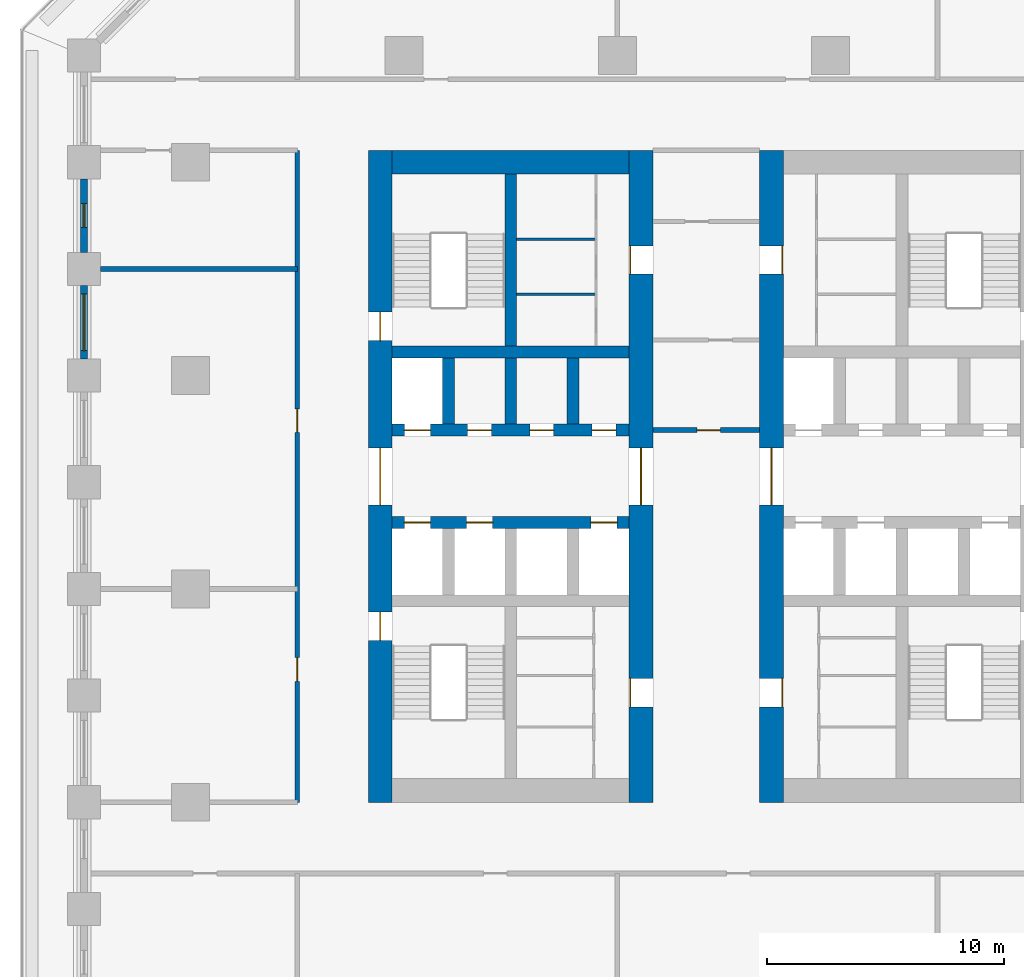
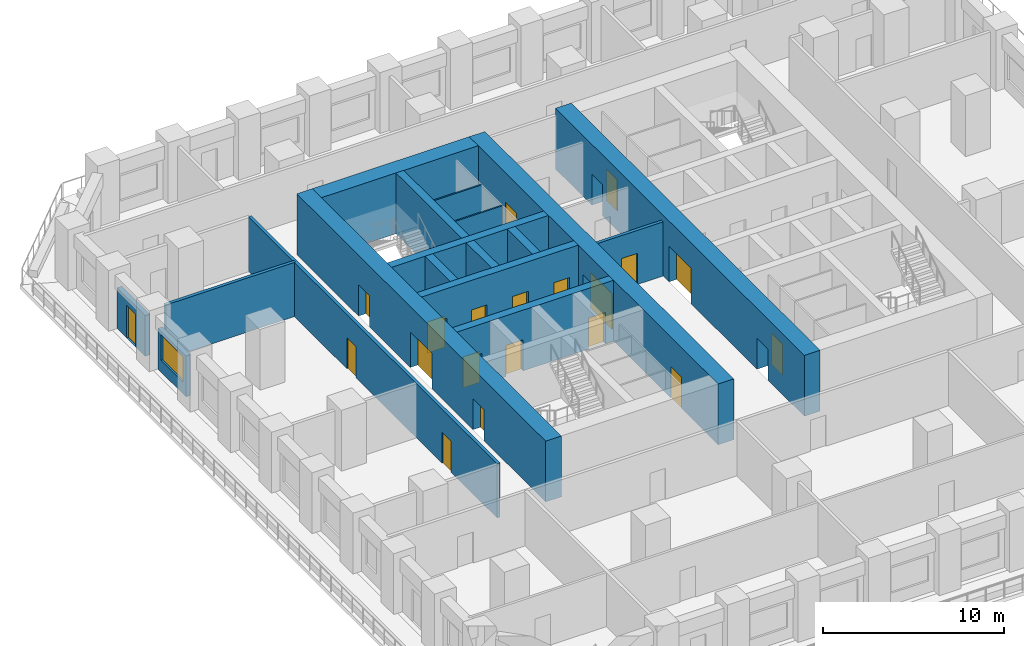
# One storey, part 5 of 11: 20 doors, 18 walls, 1 window, 21 openings.
"""IFC4 building model written with IfcOpenShell, lengths in metres."""

from ifc_helpers import new_model, si_unit, direction, frame, frame_2d, origin, place, context, subcontext, project, spatial, rectangle, extrude, material, layer, layer_set, type_object, element, fill, save


model = new_model("IFC4")

# Units and contexts
model_context = context("Model", 3, precision=1e-05, world=origin(), true_north=direction((0.0, 1.0)))
body_context = subcontext(model_context, "Body", "Model", "MODEL_VIEW")
ifc_project = project(units=[si_unit("LENGTHUNIT", "METRE"), si_unit("AREAUNIT", "SQUARE_METRE"), si_unit("VOLUMEUNIT", "CUBIC_METRE"), si_unit("PLANEANGLEUNIT", "RADIAN"), si_unit("MASSUNIT", "GRAM", prefix="KILO")], contexts=[model_context])

# Site, building, storey
site_placement = place(None, origin())
site = spatial("IfcSite", under=ifc_project, at=site_placement, CompositionType="ELEMENT")
building_placement = place(site_placement, origin())
building = spatial("IfcBuilding", under=site, at=building_placement, Name="Corbel Stack Research Tower", CompositionType="ELEMENT")
storey_placement = place(building_placement, frame((0.0, 0.0, 54.199951171875)))
storey = spatial("IfcBuildingStorey", under=building, at=storey_placement, Name="L12", CompositionType="ELEMENT", Elevation=54.199951171875)

# Wall, openings, doors
ifc_material_1 = material(Name="Concrete C70/85", Category="concrete")
ifc_layer_1 = layer(ifc_material_1, 1.0)
ifc_layer_set_1 = layer_set([ifc_layer_1], Name="Concrete C70/85")
wall_type_1 = type_object("IfcWallType", Name="CW-1000-70", PredefinedType="SHEAR", material=ifc_layer_set_1)
wall_1_placement = place(storey_placement, frame((-10.0, -9.0, 0.0), z_axis=(0.0, 0.0, 1.0), x_axis=(0.0, 1.0, 0.0)))
wall_1 = element("IfcWall", 1, at=wall_1_placement, inside=storey, type_object=wall_type_1, Name="West core wall, west face L12", PredefinedType="SHEAR", context=body_context, shape_type="SweptSolid", body=[
    extrude(rectangle(XDim=27.5, YDim=1.0, at=frame_2d((13.75, 0.0))), origin(), (0.0, 0.0, 1.0), 4.10009765625),
])
opening_1_placement = place(wall_1_placement, frame((12.550048828125, 0.0, 0.0)))
opening_1 = element("IfcOpeningElement", 2, at=opening_1_placement, cuts=wall_1, Name="Opening CD-W-W", PredefinedType="OPENING", context=body_context, shape_type="SweptSolid", body=[
    extrude(rectangle(XDim=2.39990234375, YDim=2.39990234375, at=frame_2d((1.199951171875, 1.199951171875))), frame((0.0, 0.510009765625, 0.0), z_axis=(0.0, -1.0, 0.0), x_axis=(1.0, 0.0, 0.0)), (0.0, 0.0, 1.0), 1.02001953125),
])
opening_2_placement = place(wall_1_placement, frame((6.824951171875, 0.0, 0.0)))
opening_2 = element("IfcOpeningElement", 3, at=opening_2_placement, cuts=wall_1, Name="Opening SD-ST-W1", PredefinedType="OPENING", context=body_context, shape_type="SweptSolid", body=[
    extrude(rectangle(XDim=1.199951171875, YDim=2.10009765625, at=frame_2d((0.60009765625, 1.050048828125))), frame((0.0, 0.510009765625, 0.0), z_axis=(0.0, -1.0, 0.0), x_axis=(1.0, 0.0, 0.0)), (0.0, 0.0, 1.0), 1.02001953125),
])
opening_3_placement = place(wall_1_placement, frame((19.47509765625, 0.0, 0.0)))
opening_3 = element("IfcOpeningElement", 4, at=opening_3_placement, cuts=wall_1, Name="Opening SD-ST-W2", PredefinedType="OPENING", context=body_context, shape_type="SweptSolid", body=[
    extrude(rectangle(XDim=1.199951171875, YDim=2.10009765625, at=frame_2d((0.60009765625, 1.050048828125))), frame((0.0, 0.510009765625, 0.0), z_axis=(0.0, -1.0, 0.0), x_axis=(1.0, 0.0, 0.0)), (0.0, 0.0, 1.0), 1.02001953125),
])
ifc_material_2 = material(Name="Painted steel fire door", Category="steel")
door_type_1 = type_object("IfcDoorType", Name="Lobby door pair 2400 x 2400 FD30S", OperationType="DOUBLE_DOOR_DOUBLE_SWING", PredefinedType="DOOR", material=ifc_material_2)
door_1_placement = place(opening_1_placement, origin())
door_1 = element("IfcDoor", 5, at=door_1_placement, inside=storey, type_object=door_type_1, Name="Lift lobby door W core W", OperationType="DOUBLE_DOOR_DOUBLE_SWING", OverallHeight=2.39990234375, OverallWidth=2.39990234375, PredefinedType="DOOR", context=body_context, shape_type="SweptSolid", body=[
    extrude(rectangle(XDim=2.39990234375, YDim=2.39990234375, at=frame_2d((1.199951171875, 1.199951171875))), frame((0.0, 0.02490234375, 0.0), z_axis=(0.0, -1.0, 0.0), x_axis=(1.0, 0.0, 0.0)), (0.0, 0.0, 1.0), 0.050048828125),
])
fill(opening_1, door_1)
ifc_material_3 = material(Name="Painted steel fire door", Category="steel")
door_type_2 = type_object("IfcDoorType", Name="Stair door 1200 x 2100 FD90 left hand", OperationType="SINGLE_SWING_LEFT", PredefinedType="DOOR", material=ifc_material_3)
door_2_placement = place(opening_2_placement, origin())
door_2 = element("IfcDoor", 6, at=door_2_placement, inside=storey, type_object=door_type_2, Name="Stair door ST-W1", OperationType="SINGLE_SWING_LEFT", OverallHeight=2.10009765625, OverallWidth=1.199951171875, PredefinedType="DOOR", context=body_context, shape_type="SweptSolid", body=[
    extrude(rectangle(XDim=1.199951171875, YDim=2.10009765625, at=frame_2d((0.60009765625, 1.050048828125))), frame((0.0, 0.02490234375, 0.0), z_axis=(0.0, -1.0, 0.0), x_axis=(1.0, 0.0, 0.0)), (0.0, 0.0, 1.0), 0.050048828125),
])
fill(opening_2, door_2)
door_3_placement = place(opening_3_placement, origin())
door_3 = element("IfcDoor", 7, at=door_3_placement, inside=storey, type_object=door_type_2, Name="Stair door ST-W2", OperationType="SINGLE_SWING_LEFT", OverallHeight=2.10009765625, OverallWidth=1.199951171875, PredefinedType="DOOR", context=body_context, shape_type="SweptSolid", body=[
    extrude(rectangle(XDim=1.199951171875, YDim=2.10009765625, at=frame_2d((0.60009765625, 1.050048828125))), frame((0.0, 0.02490234375, 0.0), z_axis=(0.0, -1.0, 0.0), x_axis=(1.0, 0.0, 0.0)), (0.0, 0.0, 1.0), 0.050048828125),
])
fill(opening_3, door_3)

wall_2_placement = place(storey_placement, frame((1.0, -9.0, 0.0), z_axis=(0.0, 0.0, 1.0), x_axis=(0.0, 1.0, 0.0)))
wall_2 = element("IfcWall", 8, at=wall_2_placement, inside=storey, type_object=wall_type_1, Name="West core wall, east face L12", PredefinedType="SHEAR", context=body_context, shape_type="SweptSolid", body=[
    extrude(rectangle(XDim=27.5, YDim=1.0, at=frame_2d((13.75, 0.0))), origin(), (0.0, 0.0, 1.0), 4.10009765625),
])
opening_4_placement = place(wall_2_placement, frame((12.550048828125, 0.0, 0.0)))
opening_4 = element("IfcOpeningElement", 9, at=opening_4_placement, cuts=wall_2, Name="Opening CD-W-E", PredefinedType="OPENING", context=body_context, shape_type="SweptSolid", body=[
    extrude(rectangle(XDim=2.39990234375, YDim=2.39990234375, at=frame_2d((1.199951171875, 1.199951171875))), frame((0.0, 0.510009765625, 0.0), z_axis=(0.0, -1.0, 0.0), x_axis=(1.0, 0.0, 0.0)), (0.0, 0.0, 1.0), 1.02001953125),
])
opening_5_placement = place(wall_2_placement, frame((4.02490234375, 0.0, 0.0)))
opening_5 = element("IfcOpeningElement", 10, at=opening_5_placement, cuts=wall_2, Name="Opening CR-W42-W1-1200", PredefinedType="OPENING", context=body_context, shape_type="SweptSolid", body=[
    extrude(rectangle(XDim=1.199951171875, YDim=2.10009765625, at=frame_2d((0.60009765625, 1.050048828125))), frame((0.0, 0.510009765625, 0.0), z_axis=(0.0, -1.0, 0.0), x_axis=(1.0, 0.0, 0.0)), (0.0, 0.0, 1.0), 1.02001953125),
])
opening_6_placement = place(wall_2_placement, frame((22.27490234375, 0.0, 0.0)))
opening_6 = element("IfcOpeningElement", 11, at=opening_6_placement, cuts=wall_2, Name="Opening CR-W42-R1-1200", PredefinedType="OPENING", context=body_context, shape_type="SweptSolid", body=[
    extrude(rectangle(XDim=1.199951171875, YDim=2.10009765625, at=frame_2d((0.60009765625, 1.050048828125))), frame((0.0, 0.510009765625, 0.0), z_axis=(0.0, -1.0, 0.0), x_axis=(1.0, 0.0, 0.0)), (0.0, 0.0, 1.0), 1.02001953125),
])
door_4_placement = place(opening_4_placement, origin())
door_4 = element("IfcDoor", 12, at=door_4_placement, inside=storey, type_object=door_type_1, Name="Lift lobby door W core E", OperationType="DOUBLE_DOOR_DOUBLE_SWING", OverallHeight=2.39990234375, OverallWidth=2.39990234375, PredefinedType="DOOR", context=body_context, shape_type="SweptSolid", body=[
    extrude(rectangle(XDim=2.39990234375, YDim=2.39990234375, at=frame_2d((1.199951171875, 1.199951171875))), frame((0.0, 0.02490234375, 0.0), z_axis=(0.0, -1.0, 0.0), x_axis=(1.0, 0.0, 0.0)), (0.0, 0.0, 1.0), 0.050048828125),
])
fill(opening_4, door_4)
ifc_material_4 = material(Name="Painted steel door", Category="steel")
door_type_3 = type_object("IfcDoorType", Name="Service door 1200 x 2100 FD30 left hand", OperationType="SINGLE_SWING_LEFT", PredefinedType="DOOR", material=ifc_material_4)
door_5_placement = place(opening_6_placement, origin())
door_5 = element("IfcDoor", 13, at=door_5_placement, inside=storey, type_object=door_type_3, Name="Service passage door W core", OperationType="SINGLE_SWING_LEFT", OverallHeight=2.10009765625, OverallWidth=1.199951171875, PredefinedType="DOOR", context=body_context, shape_type="SweptSolid", body=[
    extrude(rectangle(XDim=1.199951171875, YDim=2.10009765625, at=frame_2d((0.60009765625, 1.050048828125))), frame((0.0, 0.47509765625, 0.0), z_axis=(0.0, -1.0, 0.0), x_axis=(1.0, 0.0, 0.0)), (0.0, 0.0, 1.0), 0.050048828125),
])
fill(opening_6, door_5)
ifc_material_5 = material(Name="Painted timber door", Category="wood")
door_type_4 = type_object("IfcDoorType", Name="WC door 1200 x 2100 left hand", OperationType="SINGLE_SWING_LEFT", PredefinedType="DOOR", material=ifc_material_5)
door_6_placement = place(opening_5_placement, origin())
door_6 = element("IfcDoor", 14, at=door_6_placement, inside=storey, type_object=door_type_4, Name="WC lobby door W core", OperationType="SINGLE_SWING_LEFT", OverallHeight=2.10009765625, OverallWidth=1.199951171875, PredefinedType="DOOR", context=body_context, shape_type="SweptSolid", body=[
    extrude(rectangle(XDim=1.199951171875, YDim=2.10009765625, at=frame_2d((0.60009765625, 1.050048828125))), frame((0.0, 0.47509765625, 0.0), z_axis=(0.0, -1.0, 0.0), x_axis=(1.0, 0.0, 0.0)), (0.0, 0.0, 1.0), 0.050048828125),
])
fill(opening_5, door_6)

# Wall
wall_3_placement = place(storey_placement, frame((-9.5, 18.0, 0.0), z_axis=(0.0, 0.0, 1.0), x_axis=(1.0, 0.0, 0.0)))
element("IfcWall", 15, at=wall_3_placement, inside=storey, type_object=wall_type_1, Name="West core wall, north end L12", PredefinedType="SHEAR", context=body_context, shape_type="SweptSolid", body=[
    extrude(rectangle(XDim=10.0, YDim=1.0, at=frame_2d((5.0, 0.0))), origin(), (0.0, 0.0, 1.0), 4.10009765625),
])

# Wall, openings, doors
wall_4_placement = place(storey_placement, frame((6.5, -9.0, 0.0), z_axis=(0.0, 0.0, 1.0), x_axis=(0.0, 1.0, 0.0)))
wall_4 = element("IfcWall", 16, at=wall_4_placement, inside=storey, type_object=wall_type_1, Name="East core wall, west face L12", PredefinedType="SHEAR", context=body_context, shape_type="SweptSolid", body=[
    extrude(rectangle(XDim=27.5, YDim=1.0, at=frame_2d((13.75, 0.0))), origin(), (0.0, 0.0, 1.0), 4.10009765625),
])
opening_7_placement = place(wall_4_placement, frame((12.550048828125, 0.0, 0.0)))
opening_7 = element("IfcOpeningElement", 17, at=opening_7_placement, cuts=wall_4, Name="Opening CD-E-W", PredefinedType="OPENING", context=body_context, shape_type="SweptSolid", body=[
    extrude(rectangle(XDim=2.39990234375, YDim=2.39990234375, at=frame_2d((1.199951171875, 1.199951171875))), frame((0.0, 0.510009765625, 0.0), z_axis=(0.0, -1.0, 0.0), x_axis=(1.0, 0.0, 0.0)), (0.0, 0.0, 1.0), 1.02001953125),
])
opening_8_placement = place(wall_4_placement, frame((4.02490234375, 0.0, 0.0)))
opening_8 = element("IfcOpeningElement", 18, at=opening_8_placement, cuts=wall_4, Name="Opening CR-E42-W1-1200", PredefinedType="OPENING", context=body_context, shape_type="SweptSolid", body=[
    extrude(rectangle(XDim=1.199951171875, YDim=2.10009765625, at=frame_2d((0.60009765625, 1.050048828125))), frame((0.0, 0.510009765625, 0.0), z_axis=(0.0, -1.0, 0.0), x_axis=(1.0, 0.0, 0.0)), (0.0, 0.0, 1.0), 1.02001953125),
])
opening_9_placement = place(wall_4_placement, frame((22.27490234375, 0.0, 0.0)))
opening_9 = element("IfcOpeningElement", 19, at=opening_9_placement, cuts=wall_4, Name="Opening CR-E42-R1-1200", PredefinedType="OPENING", context=body_context, shape_type="SweptSolid", body=[
    extrude(rectangle(XDim=1.199951171875, YDim=2.10009765625, at=frame_2d((0.60009765625, 1.050048828125))), frame((0.0, 0.510009765625, 0.0), z_axis=(0.0, -1.0, 0.0), x_axis=(1.0, 0.0, 0.0)), (0.0, 0.0, 1.0), 1.02001953125),
])
door_7_placement = place(opening_7_placement, origin())
door_7 = element("IfcDoor", 20, at=door_7_placement, inside=storey, type_object=door_type_1, Name="Lift lobby door E core W", OperationType="DOUBLE_DOOR_DOUBLE_SWING", OverallHeight=2.39990234375, OverallWidth=2.39990234375, PredefinedType="DOOR", context=body_context, shape_type="SweptSolid", body=[
    extrude(rectangle(XDim=2.39990234375, YDim=2.39990234375, at=frame_2d((1.199951171875, 1.199951171875))), frame((0.0, 0.02490234375, 0.0), z_axis=(0.0, -1.0, 0.0), x_axis=(1.0, 0.0, 0.0)), (0.0, 0.0, 1.0), 0.050048828125),
])
fill(opening_7, door_7)
ifc_material_6 = material(Name="Painted steel door", Category="steel")
door_type_5 = type_object("IfcDoorType", Name="Service door 1200 x 2100 FD30 right hand", OperationType="SINGLE_SWING_RIGHT", PredefinedType="DOOR", material=ifc_material_6)
door_8_placement = place(opening_9_placement, origin())
door_8 = element("IfcDoor", 21, at=door_8_placement, inside=storey, type_object=door_type_5, Name="Service passage door E core", OperationType="SINGLE_SWING_RIGHT", OverallHeight=2.10009765625, OverallWidth=1.199951171875, PredefinedType="DOOR", context=body_context, shape_type="SweptSolid", body=[
    extrude(rectangle(XDim=1.199951171875, YDim=2.10009765625, at=frame_2d((0.60009765625, 1.050048828125))), frame((0.0, -0.4248046875, 0.0), z_axis=(0.0, -1.0, 0.0), x_axis=(1.0, 0.0, 0.0)), (0.0, 0.0, 1.0), 0.050048828125),
])
fill(opening_9, door_8)
ifc_material_7 = material(Name="Painted timber door", Category="wood")
door_type_6 = type_object("IfcDoorType", Name="WC door 1200 x 2100 right hand", OperationType="SINGLE_SWING_RIGHT", PredefinedType="DOOR", material=ifc_material_7)
door_9_placement = place(opening_8_placement, origin())
door_9 = element("IfcDoor", 22, at=door_9_placement, inside=storey, type_object=door_type_6, Name="WC lobby door E core", OperationType="SINGLE_SWING_RIGHT", OverallHeight=2.10009765625, OverallWidth=1.199951171875, PredefinedType="DOOR", context=body_context, shape_type="SweptSolid", body=[
    extrude(rectangle(XDim=1.199951171875, YDim=2.10009765625, at=frame_2d((0.60009765625, 1.050048828125))), frame((0.0, -0.4248046875, 0.0), z_axis=(0.0, -1.0, 0.0), x_axis=(1.0, 0.0, 0.0)), (0.0, 0.0, 1.0), 0.050048828125),
])
fill(opening_8, door_9)

ifc_material_8 = material(Name="Concrete C70/85", Category="concrete")
ifc_layer_2 = layer(ifc_material_8, 0.5)
ifc_layer_set_2 = layer_set([ifc_layer_2], Name="Concrete C70/85")
wall_type_2 = type_object("IfcWallType", Name="CW-500-70", PredefinedType="SHEAR", material=ifc_layer_set_2)
wall_5_placement = place(storey_placement, frame((-9.5, 2.800048828125, 0.0), z_axis=(0.0, 0.0, 1.0), x_axis=(1.0, 0.0, 0.0)))
wall_5 = element("IfcWall", 23, at=wall_5_placement, inside=storey, type_object=wall_type_2, Name="West core wall, lobby south L12", PredefinedType="SHEAR", context=body_context, shape_type="SweptSolid", body=[
    extrude(rectangle(XDim=10.0, YDim=0.5, at=frame_2d((5.0, 0.0))), origin(), (0.0, 0.0, 1.0), 4.10009765625),
])
opening_10_placement = place(wall_5_placement, frame((0.512451171875, 0.0, 0.0)))
opening_10 = element("IfcOpeningElement", 24, at=opening_10_placement, cuts=wall_5, Name="Opening LD-FS1", PredefinedType="OPENING", context=body_context, shape_type="SweptSolid", body=[
    extrude(rectangle(XDim=1.10009765625, YDim=2.10009765625, at=frame_2d((0.550048828125, 1.050048828125))), frame((0.0, 0.260009765625, 0.0), z_axis=(0.0, -1.0, 0.0), x_axis=(1.0, 0.0, 0.0)), (0.0, 0.0, 1.0), 0.52001953125),
])
opening_11_placement = place(wall_5_placement, frame((3.137451171875, 0.0, 0.0)))
opening_11 = element("IfcOpeningElement", 25, at=opening_11_placement, cuts=wall_5, Name="Opening LD-GL1", PredefinedType="OPENING", context=body_context, shape_type="SweptSolid", body=[
    extrude(rectangle(XDim=1.10009765625, YDim=2.10009765625, at=frame_2d((0.550048828125, 1.050048828125))), frame((0.0, 0.260009765625, 0.0), z_axis=(0.0, -1.0, 0.0), x_axis=(1.0, 0.0, 0.0)), (0.0, 0.0, 1.0), 0.52001953125),
])
opening_12_placement = place(wall_5_placement, frame((8.387451171875, 0.0, 0.0)))
opening_12 = element("IfcOpeningElement", 26, at=opening_12_placement, cuts=wall_5, Name="Opening LD-LR1", PredefinedType="OPENING", context=body_context, shape_type="SweptSolid", body=[
    extrude(rectangle(XDim=1.10009765625, YDim=2.10009765625, at=frame_2d((0.550048828125, 1.050048828125))), frame((0.0, 0.260009765625, 0.0), z_axis=(0.0, -1.0, 0.0), x_axis=(1.0, 0.0, 0.0)), (0.0, 0.0, 1.0), 0.52001953125),
])
ifc_material_9 = material(Name="Stainless steel landing door", Category="steel")
door_type_7 = type_object("IfcDoorType", Name="Lift landing door 1100 x 2100", OperationType="DOUBLE_DOOR_SLIDING", PredefinedType="DOOR", material=ifc_material_9)
door_10_placement = place(opening_10_placement, origin())
door_10 = element("IfcDoor", 27, at=door_10_placement, inside=storey, type_object=door_type_7, Name="Landing door FS1", OperationType="DOUBLE_DOOR_SLIDING", OverallHeight=2.10009765625, OverallWidth=1.10009765625, PredefinedType="DOOR", context=body_context, shape_type="SweptSolid", body=[
    extrude(rectangle(XDim=1.10009765625, YDim=2.10009765625, at=frame_2d((0.550048828125, 1.050048828125))), frame((0.0, 0.02490234375, 0.0), z_axis=(0.0, -1.0, 0.0), x_axis=(1.0, 0.0, 0.0)), (0.0, 0.0, 1.0), 0.050048828125),
])
fill(opening_10, door_10)
door_11_placement = place(opening_11_placement, origin())
door_11 = element("IfcDoor", 28, at=door_11_placement, inside=storey, type_object=door_type_7, Name="Landing door GL1", OperationType="DOUBLE_DOOR_SLIDING", OverallHeight=2.10009765625, OverallWidth=1.10009765625, PredefinedType="DOOR", context=body_context, shape_type="SweptSolid", body=[
    extrude(rectangle(XDim=1.10009765625, YDim=2.10009765625, at=frame_2d((0.550048828125, 1.050048828125))), frame((0.0, 0.02490234375, 0.0), z_axis=(0.0, -1.0, 0.0), x_axis=(1.0, 0.0, 0.0)), (0.0, 0.0, 1.0), 0.050048828125),
])
fill(opening_11, door_11)
door_12_placement = place(opening_12_placement, origin())
door_12 = element("IfcDoor", 29, at=door_12_placement, inside=storey, type_object=door_type_7, Name="Landing door LR1", OperationType="DOUBLE_DOOR_SLIDING", OverallHeight=2.10009765625, OverallWidth=1.10009765625, PredefinedType="DOOR", context=body_context, shape_type="SweptSolid", body=[
    extrude(rectangle(XDim=1.10009765625, YDim=2.10009765625, at=frame_2d((0.550048828125, 1.050048828125))), frame((0.0, 0.02490234375, 0.0), z_axis=(0.0, -1.0, 0.0), x_axis=(1.0, 0.0, 0.0)), (0.0, 0.0, 1.0), 0.050048828125),
])
fill(opening_12, door_12)

wall_6_placement = place(storey_placement, frame((-9.5, 6.699951171875, 0.0), z_axis=(0.0, 0.0, 1.0), x_axis=(1.0, 0.0, 0.0)))
wall_6 = element("IfcWall", 30, at=wall_6_placement, inside=storey, type_object=wall_type_2, Name="West core wall, lobby north L12", PredefinedType="SHEAR", context=body_context, shape_type="SweptSolid", body=[
    extrude(rectangle(XDim=10.0, YDim=0.5, at=frame_2d((5.0, 0.0))), origin(), (0.0, 0.0, 1.0), 4.10009765625),
])
opening_13_placement = place(wall_6_placement, frame((0.512451171875, 0.0, 0.0)))
opening_13 = element("IfcOpeningElement", 31, at=opening_13_placement, cuts=wall_6, Name="Opening LD-LR2", PredefinedType="OPENING", context=body_context, shape_type="SweptSolid", body=[
    extrude(rectangle(XDim=1.10009765625, YDim=2.10009765625, at=frame_2d((0.550048828125, 1.050048828125))), frame((0.0, 0.260009765625, 0.0), z_axis=(0.0, -1.0, 0.0), x_axis=(1.0, 0.0, 0.0)), (0.0, 0.0, 1.0), 0.52001953125),
])
opening_14_placement = place(wall_6_placement, frame((3.1875, 0.0, 0.0)))
opening_14 = element("IfcOpeningElement", 32, at=opening_14_placement, cuts=wall_6, Name="Opening CR-W42-N2", PredefinedType="OPENING", context=body_context, shape_type="SweptSolid", body=[
    extrude(rectangle(XDim=1.0, YDim=2.10009765625, at=frame_2d((0.5, 1.050048828125))), frame((0.0, 0.260009765625, 0.0), z_axis=(0.0, -1.0, 0.0), x_axis=(1.0, 0.0, 0.0)), (0.0, 0.0, 1.0), 0.52001953125),
])
opening_15_placement = place(wall_6_placement, frame((5.8125, 0.0, 0.0)))
opening_15 = element("IfcOpeningElement", 33, at=opening_15_placement, cuts=wall_6, Name="Opening CR-W42-N3", PredefinedType="OPENING", context=body_context, shape_type="SweptSolid", body=[
    extrude(rectangle(XDim=1.0, YDim=2.10009765625, at=frame_2d((0.5, 1.050048828125))), frame((0.0, 0.260009765625, 0.0), z_axis=(0.0, -1.0, 0.0), x_axis=(1.0, 0.0, 0.0)), (0.0, 0.0, 1.0), 0.52001953125),
])
opening_16_placement = place(wall_6_placement, frame((8.4375, 0.0, 0.0)))
opening_16 = element("IfcOpeningElement", 34, at=opening_16_placement, cuts=wall_6, Name="Opening CR-W42-N4", PredefinedType="OPENING", context=body_context, shape_type="SweptSolid", body=[
    extrude(rectangle(XDim=1.0, YDim=2.10009765625, at=frame_2d((0.5, 1.050048828125))), frame((0.0, 0.260009765625, 0.0), z_axis=(0.0, -1.0, 0.0), x_axis=(1.0, 0.0, 0.0)), (0.0, 0.0, 1.0), 0.52001953125),
])
door_13_placement = place(opening_13_placement, origin())
door_13 = element("IfcDoor", 35, at=door_13_placement, inside=storey, type_object=door_type_7, Name="Landing door LR2", OperationType="DOUBLE_DOOR_SLIDING", OverallHeight=2.10009765625, OverallWidth=1.10009765625, PredefinedType="DOOR", context=body_context, shape_type="SweptSolid", body=[
    extrude(rectangle(XDim=1.10009765625, YDim=2.10009765625, at=frame_2d((0.550048828125, 1.050048828125))), frame((0.0, 0.02490234375, 0.0), z_axis=(0.0, -1.0, 0.0), x_axis=(1.0, 0.0, 0.0)), (0.0, 0.0, 1.0), 0.050048828125),
])
fill(opening_13, door_13)
ifc_material_10 = material(Name="Painted steel door", Category="steel")
door_type_8 = type_object("IfcDoorType", Name="Service door 1000 x 2100 FD60 left hand", OperationType="SINGLE_SWING_LEFT", PredefinedType="DOOR", material=ifc_material_10)
door_14_placement = place(opening_15_placement, origin())
door_14 = element("IfcDoor", 36, at=door_14_placement, inside=storey, type_object=door_type_8, Name="Copy and supply store door W core", OperationType="SINGLE_SWING_LEFT", OverallHeight=2.10009765625, OverallWidth=1.0, PredefinedType="DOOR", context=body_context, shape_type="SweptSolid", body=[
    extrude(rectangle(XDim=1.0, YDim=2.10009765625, at=frame_2d((0.5, 1.050048828125))), frame((0.0, 0.02490234375, 0.0), z_axis=(0.0, -1.0, 0.0), x_axis=(1.0, 0.0, 0.0)), (0.0, 0.0, 1.0), 0.050048828125),
])
fill(opening_15, door_14)
ifc_material_11 = material(Name="Painted steel door", Category="steel")
door_type_9 = type_object("IfcDoorType", Name="Service door 1000 x 2100 FD60 right hand", OperationType="SINGLE_SWING_RIGHT", PredefinedType="DOOR", material=ifc_material_11)
door_15_placement = place(opening_14_placement, origin())
door_15 = element("IfcDoor", 37, at=door_15_placement, inside=storey, type_object=door_type_9, Name="Telecom room door W core", OperationType="SINGLE_SWING_RIGHT", OverallHeight=2.10009765625, OverallWidth=1.0, PredefinedType="DOOR", context=body_context, shape_type="SweptSolid", body=[
    extrude(rectangle(XDim=1.0, YDim=2.10009765625, at=frame_2d((0.5, 1.050048828125))), frame((0.0, 0.02490234375, 0.0), z_axis=(0.0, -1.0, 0.0), x_axis=(1.0, 0.0, 0.0)), (0.0, 0.0, 1.0), 0.050048828125),
])
fill(opening_14, door_15)
door_16_placement = place(opening_16_placement, origin())
door_16 = element("IfcDoor", 38, at=door_16_placement, inside=storey, type_object=door_type_9, Name="Records store door W core", OperationType="SINGLE_SWING_RIGHT", OverallHeight=2.10009765625, OverallWidth=1.0, PredefinedType="DOOR", context=body_context, shape_type="SweptSolid", body=[
    extrude(rectangle(XDim=1.0, YDim=2.10009765625, at=frame_2d((0.5, 1.050048828125))), frame((0.0, 0.02490234375, 0.0), z_axis=(0.0, -1.0, 0.0), x_axis=(1.0, 0.0, 0.0)), (0.0, 0.0, 1.0), 0.050048828125),
])
fill(opening_16, door_16)

# Walls
wall_7_placement = place(storey_placement, frame((-9.5, 10.0, 0.0), z_axis=(0.0, 0.0, 1.0), x_axis=(1.0, 0.0, 0.0)))
element("IfcWall", 39, at=wall_7_placement, inside=storey, type_object=wall_type_2, Name="West core wall, north row back L12", PredefinedType="SHEAR", context=body_context, shape_type="SweptSolid", body=[
    extrude(rectangle(XDim=10.0, YDim=0.5, at=frame_2d((5.0, 0.0))), origin(), (0.0, 0.0, 1.0), 4.10009765625),
])
for number, where, z_axis, x_axis, name in (
    (40, (-7.125, 6.949951171875, 0.0), (0.0, 0.0, 1.0), (0.0, 1.0, 0.0), "West core wall, north shaft 1 L12"),
    (41, (-4.5, 6.949951171875, 0.0), (0.0, 0.0, 1.0), (0.0, 1.0, 0.0), "West core wall, north shaft 2 L12"),
    (42, (-1.875, 6.949951171875, 0.0), (0.0, 0.0, 1.0), (0.0, 1.0, 0.0), "West core wall, north shaft 3 L12"),
):
    element("IfcWall", number, at=place(storey_placement, frame(where, z_axis=z_axis, x_axis=x_axis)), inside=storey, type_object=wall_type_2, Name=name, PredefinedType="SHEAR", context=body_context, shape_type="SweptSolid", body=[
        extrude(rectangle(XDim=2.800048828125, YDim=0.5, at=frame_2d((1.39990234375, 0.0))), origin(), (0.0, 0.0, 1.0), 4.10009765625),
    ])
wall_8_placement = place(storey_placement, frame((-4.5, 10.25, 0.0), z_axis=(0.0, 0.0, 1.0), x_axis=(0.0, 1.0, 0.0)))
element("IfcWall", 43, at=wall_8_placement, inside=storey, type_object=wall_type_2, Name="West core wall, north stair and riser L12", PredefinedType="SHEAR", context=body_context, shape_type="SweptSolid", body=[
    extrude(rectangle(XDim=7.25, YDim=0.5, at=frame_2d((3.625, 0.0))), origin(), (0.0, 0.0, 1.0), 4.10009765625),
])
ifc_material_12 = material(Name="Gypsum board")
ifc_layer_3 = layer(ifc_material_12, 0.10009765625)
ifc_layer_set_3 = layer_set([ifc_layer_3], Name="Gypsum board")
wall_type_3 = type_object("IfcWallType", Name="Core partition 100", PredefinedType="PARTITIONING", material=ifc_layer_set_3)
for number, where, z_axis, x_axis, name in (
    (44, (-4.25, 12.425048828125, 0.0), (0.0, 0.0, 1.0), (1.0, 0.0, 0.0), "Core partition W"),
    (45, (-4.25, 14.7451171875, 0.0), (0.0, 0.0, 1.0), (1.0, 0.0, 0.0), "Core partition W"),
):
    element("IfcWall", number, at=place(storey_placement, frame(where, z_axis=z_axis, x_axis=x_axis)), inside=storey, type_object=wall_type_3, Name=name, PredefinedType="PARTITIONING", context=body_context, shape_type="SweptSolid", body=[
        extrude(rectangle(XDim=3.35009765625, YDim=0.10009765625, at=frame_2d((1.675048828125, 0.0))), origin(), (0.0, 0.0, 1.0), 3.650146484375),
    ])

# Wall, openings, doors
ifc_material_13 = material(Name="Fire-rated gypsum board partition on steel studs", Category="steel")
ifc_layer_4 = layer(ifc_material_13, 0.199951171875)
ifc_layer_set_4 = layer_set([ifc_layer_4], Name="Fire-rated gypsum board partition on steel studs")
wall_type_4 = type_object("IfcWallType", Name="Fire-rated partition 200 EI 60", PredefinedType="PARTITIONING", material=ifc_layer_set_4)
wall_9_placement = place(storey_placement, frame((-13.5, -9.0, 0.0), z_axis=(0.0, 0.0, 1.0), x_axis=(0.0, 1.0, 0.0)))
wall_9 = element("IfcWall", 46, at=wall_9_placement, inside=storey, type_object=wall_type_4, Name="Partition L12-002", PredefinedType="PARTITIONING", context=body_context, shape_type="SweptSolid", body=[
    extrude(rectangle(XDim=27.5, YDim=0.199951171875, at=frame_2d((13.75, 0.0))), origin(), (0.0, 0.0, 1.0), 3.650146484375),
])
opening_17_placement = place(wall_9_placement, frame((5.10009765625, 0.0, 0.0)))
opening_17 = element("IfcOpeningElement", 47, at=opening_17_placement, cuts=wall_9, Name="Opening B2V1-006", PredefinedType="OPENING", context=body_context, shape_type="SweptSolid", body=[
    extrude(rectangle(XDim=1.0, YDim=2.10009765625, at=frame_2d((0.5, 1.050048828125))), frame((0.0, 0.10986328125, 0.0), z_axis=(0.0, -1.0, 0.0), x_axis=(1.0, 0.0, 0.0)), (0.0, 0.0, 1.0), 0.219970703125),
])
opening_18_placement = place(wall_9_placement, frame((15.60009765625, 0.0, 0.0)))
opening_18 = element("IfcOpeningElement", 48, at=opening_18_placement, cuts=wall_9, Name="Opening B2V1-007", PredefinedType="OPENING", context=body_context, shape_type="SweptSolid", body=[
    extrude(rectangle(XDim=1.0, YDim=2.10009765625, at=frame_2d((0.5, 1.050048828125))), frame((0.0, 0.10986328125, 0.0), z_axis=(0.0, -1.0, 0.0), x_axis=(1.0, 0.0, 0.0)), (0.0, 0.0, 1.0), 0.219970703125),
])
ifc_material_14 = material(Name="Painted steel fire door", Category="steel")
door_type_10 = type_object("IfcDoorType", Name="Fire door FD30S 1000 x 2100", OperationType="NOTDEFINED", PredefinedType="DOOR", material=ifc_material_14)
door_17_placement = place(opening_17_placement, origin())
door_17 = element("IfcDoor", 49, at=door_17_placement, inside=storey, type_object=door_type_10, Name="Door B2V1-006", OperationType="SINGLE_SWING_LEFT", OverallHeight=2.10009765625, OverallWidth=1.0, PredefinedType="DOOR", context=body_context, shape_type="SweptSolid", body=[
    extrude(rectangle(XDim=1.0, YDim=2.10009765625, at=frame_2d((0.5, 1.050048828125))), frame((0.0, 0.02490234375, 0.0), z_axis=(0.0, -1.0, 0.0), x_axis=(1.0, 0.0, 0.0)), (0.0, 0.0, 1.0), 0.050048828125),
])
fill(opening_17, door_17)
door_18_placement = place(opening_18_placement, origin())
door_18 = element("IfcDoor", 50, at=door_18_placement, inside=storey, type_object=door_type_10, Name="Door B2V1-007", OperationType="SINGLE_SWING_RIGHT", OverallHeight=2.10009765625, OverallWidth=1.0, PredefinedType="DOOR", context=body_context, shape_type="SweptSolid", body=[
    extrude(rectangle(XDim=1.0, YDim=2.10009765625, at=frame_2d((0.5, 1.050048828125))), frame((0.0, 0.02490234375, 0.0), z_axis=(0.0, -1.0, 0.0), x_axis=(1.0, 0.0, 0.0)), (0.0, 0.0, 1.0), 0.050048828125),
])
fill(opening_18, door_18)

# Wall, opening, door
wall_10_placement = place(storey_placement, frame((1.5, 6.699951171875, 0.0), z_axis=(0.0, 0.0, 1.0), x_axis=(1.0, 0.0, 0.0)))
wall_10 = element("IfcWall", 51, at=wall_10_placement, inside=storey, type_object=wall_type_4, Name="Partition L12-025", PredefinedType="PARTITIONING", context=body_context, shape_type="SweptSolid", body=[
    extrude(rectangle(XDim=4.5, YDim=0.199951171875, at=frame_2d((2.25, 0.0))), origin(), (0.0, 0.0, 1.0), 3.650146484375),
])
opening_19_placement = place(wall_10_placement, frame((1.85009765625, 0.0, 0.0)))
opening_19 = element("IfcOpeningElement", 52, at=opening_19_placement, cuts=wall_10, Name="Opening B2V1-014", PredefinedType="OPENING", context=body_context, shape_type="SweptSolid", body=[
    extrude(rectangle(XDim=1.0, YDim=2.10009765625, at=frame_2d((0.5, 1.050048828125))), frame((0.0, 0.10986328125, 0.0), z_axis=(0.0, -1.0, 0.0), x_axis=(1.0, 0.0, 0.0)), (0.0, 0.0, 1.0), 0.219970703125),
])
door_19_placement = place(opening_19_placement, origin())
door_19 = element("IfcDoor", 53, at=door_19_placement, inside=storey, type_object=door_type_10, Name="Door B2V1-014", OperationType="SINGLE_SWING_RIGHT", OverallHeight=2.10009765625, OverallWidth=1.0, PredefinedType="DOOR", context=body_context, shape_type="SweptSolid", body=[
    extrude(rectangle(XDim=1.0, YDim=2.10009765625, at=frame_2d((0.5, 1.050048828125))), frame((0.0, 0.02490234375, 0.0), z_axis=(0.0, -1.0, 0.0), x_axis=(1.0, 0.0, 0.0)), (0.0, 0.0, 1.0), 0.050048828125),
])
fill(opening_19, door_19)

# Wall
wall_11_placement = place(storey_placement, frame((-21.800048828125, 13.5, 0.0), z_axis=(0.0, 0.0, 1.0), x_axis=(1.0, 0.0, 0.0)))
element("IfcWall", 54, at=wall_11_placement, inside=storey, type_object=wall_type_4, Name="Partition L12-027", PredefinedType="PARTITIONING", context=body_context, shape_type="SweptSolid", body=[
    extrude(rectangle(XDim=8.300048828125, YDim=0.199951171875, at=frame_2d((4.14990234375, 0.0))), origin(), (0.0, 0.0, 1.0), 3.650146484375),
])

# Wall, opening, door
ifc_material_15 = material(Name="Concrete C45/55", Category="concrete")
ifc_layer_5 = layer(ifc_material_15, 0.300048828125)
ifc_layer_set_5 = layer_set([ifc_layer_5], Name="Concrete C45/55")
wall_type_5 = type_object("IfcWallType", Name="Terracotta-faced concrete wall 300", PredefinedType="SOLIDWALL", material=ifc_layer_set_5)
wall_12_placement = place(storey_placement, frame((-22.5, 14.199951171875, 0.0), z_axis=(0.0, 0.0, 1.0), x_axis=(0.0, 1.0, 0.0)))
wall_12 = element("IfcWall", 55, at=wall_12_placement, inside=storey, type_object=wall_type_5, Name="Facade wall L12 W02", PredefinedType="SOLIDWALL", context=body_context, shape_type="SweptSolid", body=[
    extrude(rectangle(XDim=3.10009765625, YDim=0.300048828125, at=frame_2d((1.550048828125, 0.0))), origin(), (0.0, 0.0, 1.0), 2.75),
])
opening_20_placement = place(wall_12_placement, frame((1.050048828125, 0.0, 0.0)))
opening_20 = element("IfcOpeningElement", 56, at=opening_20_placement, cuts=wall_12, Name="Opening L12-B10", PredefinedType="OPENING", context=body_context, shape_type="SweptSolid", body=[
    extrude(rectangle(XDim=1.0, YDim=2.199951171875, at=frame_2d((0.5, 1.10009765625))), frame((0.0, 0.159912109375, 0.0), z_axis=(0.0, -1.0, 0.0), x_axis=(1.0, 0.0, 0.0)), (0.0, 0.0, 1.0), 0.320068359375),
])
ifc_material_16 = material(Name="Aluminium frame, clear double glazing", Category="aluminium")
door_type_11 = type_object("IfcDoorType", Name="Balcony door BD1 1000 x 2200", OperationType="NOTDEFINED", PredefinedType="DOOR", material=ifc_material_16)
door_20_placement = place(opening_20_placement, origin())
door_20 = element("IfcDoor", 57, at=door_20_placement, inside=storey, type_object=door_type_11, Name="Balcony door L12-B10", OperationType="SINGLE_SWING_RIGHT", OverallHeight=2.199951171875, OverallWidth=1.0, PredefinedType="DOOR", context=body_context, shape_type="SweptSolid", body=[
    extrude(rectangle(XDim=1.0, YDim=2.199951171875, at=frame_2d((0.5, 1.10009765625))), frame((0.0, 0.02490234375, 0.0), z_axis=(0.0, -1.0, 0.0), x_axis=(1.0, 0.0, 0.0)), (0.0, 0.0, 1.0), 0.050048828125),
])
fill(opening_20, door_20)

# Wall, opening, window
wall_13_placement = place(storey_placement, frame((-22.5, 9.699951171875, 0.0), z_axis=(0.0, 0.0, 1.0), x_axis=(0.0, 1.0, 0.0)))
wall_13 = element("IfcWall", 58, at=wall_13_placement, inside=storey, type_object=wall_type_5, Name="Facade wall L12 W03", PredefinedType="SOLIDWALL", context=body_context, shape_type="SweptSolid", body=[
    extrude(rectangle(XDim=3.10009765625, YDim=0.300048828125, at=frame_2d((1.550048828125, 0.0))), origin(), (0.0, 0.0, 1.0), 2.75),
])
opening_21_placement = place(wall_13_placement, frame((0.35009765625, 0.0, 0.800048828125)))
opening_21 = element("IfcOpeningElement", 59, at=opening_21_placement, cuts=wall_13, Name="Opening W1", PredefinedType="OPENING", context=body_context, shape_type="SweptSolid", body=[
    extrude(rectangle(XDim=2.39990234375, YDim=1.699951171875, at=frame_2d((1.199951171875, 0.85009765625))), frame((0.0, 0.159912109375, 0.0), z_axis=(0.0, -1.0, 0.0), x_axis=(1.0, 0.0, 0.0)), (0.0, 0.0, 1.0), 0.320068359375),
])
ifc_material_17 = material(Name="Aluminium frame, clear double glazing", Category="aluminium")
window_type = type_object("IfcWindowType", Name="Window W1 2400 x 1700", PartitioningType="SINGLE_PANEL", PredefinedType="WINDOW", material=ifc_material_17)
window_placement = place(opening_21_placement, origin())
window = element("IfcWindow", 60, at=window_placement, inside=storey, type_object=window_type, Name="Window W1 L12 W03", OverallHeight=1.699951171875, OverallWidth=2.39990234375, PartitioningType="SINGLE_PANEL", PredefinedType="WINDOW", context=body_context, shape_type="SweptSolid", body=[
    extrude(rectangle(XDim=2.39990234375, YDim=1.699951171875, at=frame_2d((1.199951171875, 0.85009765625))), frame((0.0, 0.030029296875, 0.0), z_axis=(0.0, -1.0, 0.0), x_axis=(1.0, 0.0, 0.0)), (0.0, 0.0, 1.0), 0.06005859375),
])
fill(opening_21, window)

save(model, "model.ifc")
